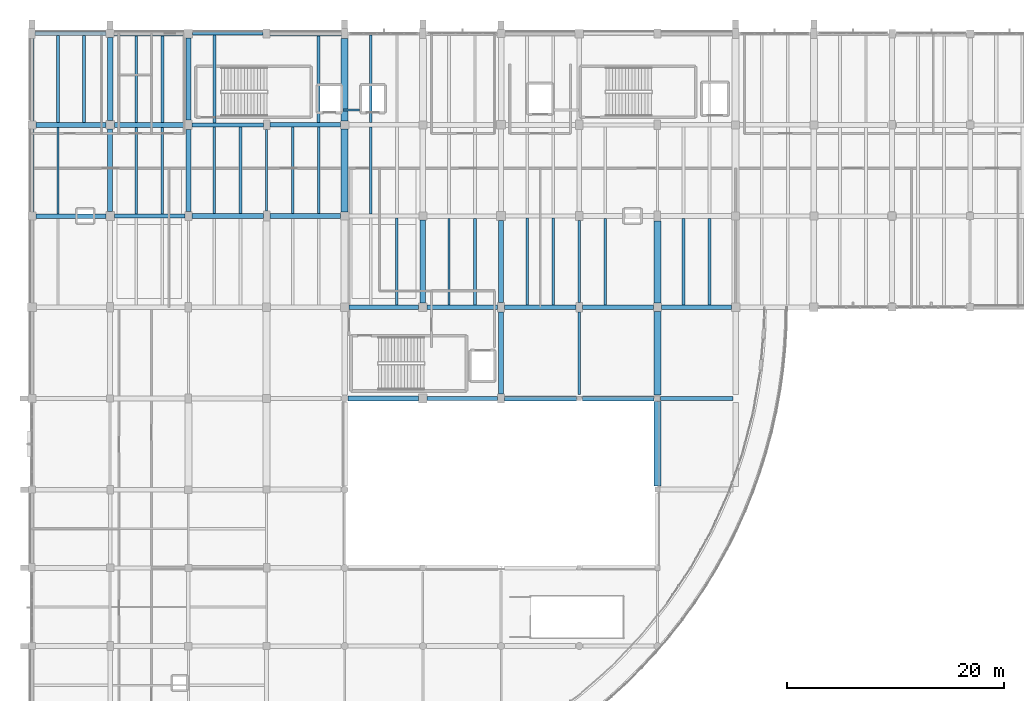
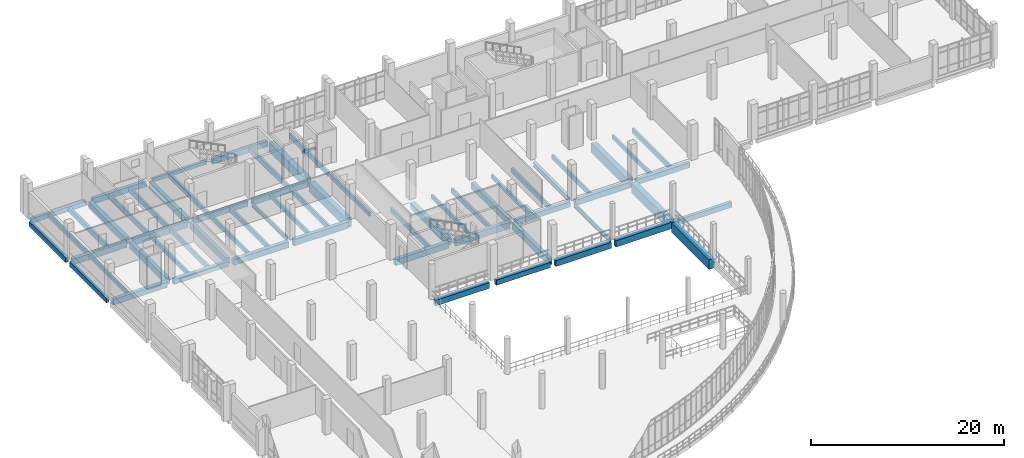
# One storey, part 61 of 116: 63 beams.
"""IFC4 building model written with IfcOpenShell, lengths in metres."""

from ifc_helpers import new_model, si_unit, direction, frame, origin, origin_2d, place, context, subcontext, project, spatial, rectangle, i_section, extrude, material, material_profile, profile_set, type_object, element, save


model = new_model("IFC4")

# Units and contexts
model_context = context("Model", 3, precision=1e-05, world=origin(), true_north=direction((0.0, 1.0)))
body_context = subcontext(model_context, "Body", "Model", "MODEL_VIEW")
ifc_project = project(units=[si_unit("LENGTHUNIT", "METRE"), si_unit("AREAUNIT", "SQUARE_METRE"), si_unit("VOLUMEUNIT", "CUBIC_METRE"), si_unit("PLANEANGLEUNIT", "RADIAN"), si_unit("MASSUNIT", "GRAM", prefix="KILO")], contexts=[model_context])

# Site, building, storey
site_placement = place(None, origin())
site = spatial("IfcSite", under=ifc_project, at=site_placement, CompositionType="ELEMENT")
building_placement = place(site_placement, origin())
building = spatial("IfcBuilding", under=site, at=building_placement, Name="Kalluvel Institute of Natural Sciences", CompositionType="ELEMENT")
storey_placement = place(building_placement, frame((0.0, 0.0, 14.39990234375)))
storey = spatial("IfcBuildingStorey", under=building, at=storey_placement, Name="L03", CompositionType="ELEMENT", Elevation=14.39990234375)

# Beams
ifc_material_1 = material(Name="Steel E350 Grade 350", Category="steel")
ifc_material_profile_1 = material_profile(ifc_material_1, i_section(OverallWidth=0.18994140625, OverallDepth=0.550048828125, WebThickness=0.01123046875, FlangeThickness=0.019287109375, FilletRadius=0.01806640625, at=origin_2d()), Name="ISMB 550")
ifc_profile_set_1 = profile_set([ifc_material_profile_1], Name="Steel E350 Grade 350")
beam_type_1 = type_object("IfcBeamType", Name="BM-ISMB550", PredefinedType="BEAM", material=ifc_profile_set_1)
beam_1_placement = place(storey_placement, frame((35.60009765625, 111.64990234375, -0.594970703125), z_axis=(0.0, 1.0, 0.0), x_axis=(-1.0, 0.0, 0.0)))
element("IfcBeam", 1, at=beam_1_placement, inside=storey, type_object=beam_type_1, Name="L03 girder GIR-L03-NS-X356-Y1112", PredefinedType="BEAM", context=body_context, shape_type="SweptSolid", body=[
    extrude(i_section(OverallWidth=0.18994140625, OverallDepth=0.550048828125, WebThickness=0.01123046875, FlangeThickness=0.019287109375, FilletRadius=0.01806640625, at=origin_2d()), origin(), (0.0, 0.0, 1.0), 7.5),
])
beam_2_placement = place(storey_placement, frame((64.39990234375, 94.77490234375, -0.594970703125), z_axis=(0.0, 1.0, 0.0), x_axis=(-1.0, 0.0, 0.0)))
element("IfcBeam", 2, at=beam_2_placement, inside=storey, type_object=beam_type_1, Name="L03 girder GIR-L03-NS-X644-Y944", PredefinedType="BEAM", context=body_context, shape_type="SweptSolid", body=[
    extrude(i_section(OverallWidth=0.18994140625, OverallDepth=0.550048828125, WebThickness=0.01123046875, FlangeThickness=0.019287109375, FilletRadius=0.01806640625, at=origin_2d()), origin(), (0.0, 0.0, 1.0), 7.5751953125),
])
beam_3_placement = place(storey_placement, frame((64.39990234375, 103.25, -0.594970703125), z_axis=(0.0, 1.0, 0.0), x_axis=(-1.0, 0.0, 0.0)))
element("IfcBeam", 3, at=beam_3_placement, inside=storey, type_object=beam_type_1, Name="L03 girder GIR-L03-NS-X644-Y1028", PredefinedType="BEAM", context=body_context, shape_type="SweptSolid", body=[
    extrude(i_section(OverallWidth=0.18994140625, OverallDepth=0.550048828125, WebThickness=0.01123046875, FlangeThickness=0.019287109375, FilletRadius=0.01806640625, at=origin_2d()), origin(), (0.0, 0.0, 1.0), 7.52490234375),
])
ifc_material_2 = material(Name="Concrete M40", Category="concrete")
ifc_material_profile_2 = material_profile(ifc_material_2, rectangle(XDim=0.3798828125, YDim=0.639892578125, at=origin_2d()), Name="RCB 380x640")
ifc_profile_set_2 = profile_set([ifc_material_profile_2], Name="Concrete M40")
beam_type_2 = type_object("IfcBeamType", Name="BM-RC380x640", PredefinedType="BEAM", material=ifc_profile_set_2)
beam_4_placement = place(storey_placement, frame((71.89990234375, 94.39990234375, -0.639892578125), z_axis=(1.0, 0.0, 0.0), x_axis=(0.0, 1.0, 0.0)))
element("IfcBeam", 4, at=beam_4_placement, inside=storey, type_object=beam_type_2, Name="L03 girder GIR-L03-EW-X716-Y944", PredefinedType="BEAM", context=body_context, shape_type="SweptSolid", body=[
    extrude(rectangle(XDim=0.3798828125, YDim=0.639892578125, at=origin_2d()), origin(), (0.0, 0.0, 1.0), 6.650146484375),
])
beam_5_placement = place(storey_placement, frame((57.52490234375, 102.800048828125, -0.639892578125), z_axis=(1.0, 0.0, 0.0), x_axis=(0.0, 1.0, 0.0)))
element("IfcBeam", 5, at=beam_5_placement, inside=storey, type_object=beam_type_2, Name="L03 girder GIR-L03-EW-X572-Y1028", PredefinedType="BEAM", context=body_context, shape_type="SweptSolid", body=[
    extrude(rectangle(XDim=0.3798828125, YDim=0.639892578125, at=origin_2d()), origin(), (0.0, 0.0, 1.0), 6.5751953125),
])
beam_6_placement = place(storey_placement, frame((28.72509765625, 119.60009765625, -0.639892578125), z_axis=(1.0, 0.0, 0.0), x_axis=(0.0, 1.0, 0.0)))
element("IfcBeam", 6, at=beam_6_placement, inside=storey, type_object=beam_type_2, Name="L03 girder GIR-L03-EW-X284-Y1196", PredefinedType="BEAM", context=body_context, shape_type="SweptSolid", body=[
    extrude(rectangle(XDim=0.3798828125, YDim=0.639892578125, at=origin_2d()), origin(), (0.0, 0.0, 1.0), 6.574951171875),
])
ifc_material_profile_3 = material_profile(ifc_material_2, rectangle(XDim=0.39990234375, YDim=0.64990234375, at=origin_2d()), Name="RCB 400x650")
ifc_profile_set_3 = profile_set([ifc_material_profile_3], Name="Concrete M40")
beam_type_3 = type_object("IfcBeamType", Name="BM-RC400x650", PredefinedType="BEAM", material=ifc_profile_set_3)
beam_7_placement = place(storey_placement, frame((50.39990234375, 94.39990234375, -0.64501953125), z_axis=(1.0, 0.0, 0.0), x_axis=(0.0, 1.0, 0.0)))
element("IfcBeam", 7, at=beam_7_placement, inside=storey, type_object=beam_type_3, Name="L03 girder GIR-L03-EW-X500-Y944", PredefinedType="BEAM", context=body_context, shape_type="SweptSolid", body=[
    extrude(rectangle(XDim=0.39990234375, YDim=0.64990234375, at=origin_2d()), origin(), (0.0, 0.0, 1.0), 6.47509765625),
])
beam_8_placement = place(storey_placement, frame((71.97509765625, 102.800048828125, -0.64501953125), z_axis=(1.0, 0.0, 0.0), x_axis=(0.0, 1.0, 0.0)))
element("IfcBeam", 8, at=beam_8_placement, inside=storey, type_object=beam_type_3, Name="L03 girder GIR-L03-EW-X716-Y1028", PredefinedType="BEAM", context=body_context, shape_type="SweptSolid", body=[
    extrude(rectangle(XDim=0.39990234375, YDim=0.64990234375, at=origin_2d()), origin(), (0.0, 0.0, 1.0), 6.4248046875),
])
beam_9_placement = place(storey_placement, frame((21.60009765625, 111.199951171875, -0.64501953125), z_axis=(1.0, 0.0, 0.0), x_axis=(0.0, 1.0, 0.0)))
element("IfcBeam", 9, at=beam_9_placement, inside=storey, type_object=beam_type_3, Name="L03 girder GIR-L03-EW-X212-Y1112", PredefinedType="BEAM", context=body_context, shape_type="SweptSolid", body=[
    extrude(rectangle(XDim=0.39990234375, YDim=0.64990234375, at=origin_2d()), origin(), (0.0, 0.0, 1.0), 6.474853515625),
])
ifc_material_profile_4 = material_profile(ifc_material_2, rectangle(XDim=0.419921875, YDim=0.719970703125, at=origin_2d()), Name="RCB 420x720")
ifc_profile_set_4 = profile_set([ifc_material_profile_4], Name="Concrete M40")
beam_type_4 = type_object("IfcBeamType", Name="BM-RC420x720", PredefinedType="BEAM", material=ifc_profile_set_4)
beam_10_placement = place(storey_placement, frame((43.125, 94.39990234375, -0.679931640625), z_axis=(1.0, 0.0, 0.0), x_axis=(0.0, 1.0, 0.0)))
element("IfcBeam", 10, at=beam_10_placement, inside=storey, type_object=beam_type_4, Name="L03 girder GIR-L03-EW-X428-Y944", PredefinedType="BEAM", context=body_context, shape_type="SweptSolid", body=[
    extrude(rectangle(XDim=0.419921875, YDim=0.719970703125, at=origin_2d()), origin(), (0.0, 0.0, 1.0), 6.47509765625),
])
beam_11_placement = place(storey_placement, frame((64.699951171875, 102.800048828125, -0.679931640625), z_axis=(1.0, 0.0, 0.0), x_axis=(0.0, 1.0, 0.0)))
element("IfcBeam", 11, at=beam_11_placement, inside=storey, type_object=beam_type_4, Name="L03 girder GIR-L03-EW-X644-Y1028", PredefinedType="BEAM", context=body_context, shape_type="SweptSolid", body=[
    extrude(rectangle(XDim=0.419921875, YDim=0.719970703125, at=origin_2d()), origin(), (0.0, 0.0, 1.0), 6.525146484375),
])
beam_12_placement = place(storey_placement, frame((14.375, 111.199951171875, -0.679931640625), z_axis=(1.0, 0.0, 0.0), x_axis=(0.0, 1.0, 0.0)))
element("IfcBeam", 12, at=beam_12_placement, inside=storey, type_object=beam_type_4, Name="L03 girder GIR-L03-EW-X140-Y1112", PredefinedType="BEAM", context=body_context, shape_type="SweptSolid", body=[
    extrude(rectangle(XDim=0.419921875, YDim=0.719970703125, at=origin_2d()), origin(), (0.0, 0.0, 1.0), 6.425048828125),
])
beam_13_placement = place(storey_placement, frame((35.89990234375, 119.60009765625, -0.679931640625), z_axis=(1.0, 0.0, 0.0), x_axis=(0.0, 1.0, 0.0)))
element("IfcBeam", 13, at=beam_13_placement, inside=storey, type_object=beam_type_4, Name="L03 girder GIR-L03-EW-X356-Y1196", PredefinedType="BEAM", context=body_context, shape_type="SweptSolid", body=[
    extrude(rectangle(XDim=0.419921875, YDim=0.719970703125, at=origin_2d()), origin(), (0.0, 0.0, 1.0), 6.525146484375),
])
ifc_material_profile_5 = material_profile(ifc_material_2, rectangle(XDim=0.449951171875, YDim=0.75, at=origin_2d()), Name="RCB 450x750")
ifc_profile_set_5 = profile_set([ifc_material_profile_5], Name="Concrete M40")
beam_type_5 = type_object("IfcBeamType", Name="BM-RC450x750", PredefinedType="BEAM", material=ifc_profile_set_5)
beam_14_placement = place(storey_placement, frame((57.52490234375, 94.39990234375, -0.69482421875), z_axis=(1.0, 0.0, 0.0), x_axis=(0.0, 1.0, 0.0)))
element("IfcBeam", 14, at=beam_14_placement, inside=storey, type_object=beam_type_5, Name="L03 girder GIR-L03-EW-X572-Y944", PredefinedType="BEAM", context=body_context, shape_type="SweptSolid", body=[
    extrude(rectangle(XDim=0.449951171875, YDim=0.75, at=origin_2d()), origin(), (0.0, 0.0, 1.0), 6.60009765625),
])
beam_15_placement = place(storey_placement, frame((43.199951171875, 102.800048828125, -0.69482421875), z_axis=(1.0, 0.0, 0.0), x_axis=(0.0, 1.0, 0.0)))
element("IfcBeam", 15, at=beam_15_placement, inside=storey, type_object=beam_type_5, Name="L03 girder GIR-L03-EW-X428-Y1028", PredefinedType="BEAM", context=body_context, shape_type="SweptSolid", body=[
    extrude(rectangle(XDim=0.449951171875, YDim=0.75, at=origin_2d()), origin(), (0.0, 0.0, 1.0), 6.400146484375),
])
beam_16_placement = place(storey_placement, frame((28.72509765625, 111.199951171875, -0.69482421875), z_axis=(1.0, 0.0, 0.0), x_axis=(0.0, 1.0, 0.0)))
element("IfcBeam", 16, at=beam_16_placement, inside=storey, type_object=beam_type_5, Name="L03 girder GIR-L03-EW-X284-Y1112", PredefinedType="BEAM", context=body_context, shape_type="SweptSolid", body=[
    extrude(rectangle(XDim=0.449951171875, YDim=0.75, at=origin_2d()), origin(), (0.0, 0.0, 1.0), 6.574951171875),
])
beam_17_placement = place(storey_placement, frame((14.375, 119.60009765625, -0.69482421875), z_axis=(1.0, 0.0, 0.0), x_axis=(0.0, 1.0, 0.0)))
element("IfcBeam", 17, at=beam_17_placement, inside=storey, type_object=beam_type_5, Name="L03 girder GIR-L03-EW-X140-Y1196", PredefinedType="BEAM", context=body_context, shape_type="SweptSolid", body=[
    extrude(rectangle(XDim=0.449951171875, YDim=0.75, at=origin_2d()), origin(), (0.0, 0.0, 1.0), 6.425048828125),
])
ifc_material_profile_6 = material_profile(ifc_material_2, rectangle(XDim=0.449951171875, YDim=0.800048828125, at=origin_2d()), Name="RCB 450x800")
ifc_profile_set_6 = profile_set([ifc_material_profile_6], Name="Concrete M40")
beam_type_6 = type_object("IfcBeamType", Name="BM-RC450x800", PredefinedType="BEAM", material=ifc_profile_set_6)
beam_18_placement = place(storey_placement, frame((64.675048828125, 94.39990234375, -0.719970703125), z_axis=(1.0, 0.0, 0.0), x_axis=(0.0, 1.0, 0.0)))
element("IfcBeam", 18, at=beam_18_placement, inside=storey, type_object=beam_type_6, Name="L03 girder GIR-L03-EW-X644-Y944", PredefinedType="BEAM", context=body_context, shape_type="SweptSolid", body=[
    extrude(rectangle(XDim=0.449951171875, YDim=0.800048828125, at=origin_2d()), origin(), (0.0, 0.0, 1.0), 6.625),
])
beam_19_placement = place(storey_placement, frame((50.39990234375, 102.800048828125, -0.719970703125), z_axis=(1.0, 0.0, 0.0), x_axis=(0.0, 1.0, 0.0)))
element("IfcBeam", 19, at=beam_19_placement, inside=storey, type_object=beam_type_6, Name="L03 girder GIR-L03-EW-X500-Y1028", PredefinedType="BEAM", context=body_context, shape_type="SweptSolid", body=[
    extrude(rectangle(XDim=0.449951171875, YDim=0.800048828125, at=origin_2d()), origin(), (0.0, 0.0, 1.0), 6.47509765625),
])
beam_20_placement = place(storey_placement, frame((35.89990234375, 111.199951171875, -0.719970703125), z_axis=(1.0, 0.0, 0.0), x_axis=(0.0, 1.0, 0.0)))
element("IfcBeam", 20, at=beam_20_placement, inside=storey, type_object=beam_type_6, Name="L03 girder GIR-L03-EW-X356-Y1112", PredefinedType="BEAM", context=body_context, shape_type="SweptSolid", body=[
    extrude(rectangle(XDim=0.449951171875, YDim=0.800048828125, at=origin_2d()), origin(), (0.0, 0.0, 1.0), 6.525146484375),
])
beam_21_placement = place(storey_placement, frame((21.60009765625, 119.60009765625, -0.719970703125), z_axis=(1.0, 0.0, 0.0), x_axis=(0.0, 1.0, 0.0)))
element("IfcBeam", 21, at=beam_21_placement, inside=storey, type_object=beam_type_6, Name="L03 girder GIR-L03-EW-X212-Y1196", PredefinedType="BEAM", context=body_context, shape_type="SweptSolid", body=[
    extrude(rectangle(XDim=0.449951171875, YDim=0.800048828125, at=origin_2d()), origin(), (0.0, 0.0, 1.0), 6.474853515625),
])
beam_22_placement = place(storey_placement, frame((21.199951171875, 111.60009765625, -0.719970703125), z_axis=(0.0, 1.0, 0.0), x_axis=(-1.0, 0.0, 0.0)))
element("IfcBeam", 22, at=beam_22_placement, inside=storey, type_object=beam_type_6, Name="L03 girder GIR-L03-NS-X212-Y1112", PredefinedType="BEAM", context=body_context, shape_type="SweptSolid", body=[
    extrude(rectangle(XDim=0.449951171875, YDim=0.800048828125, at=origin_2d()), origin(), (0.0, 0.0, 1.0), 7.599853515625),
])
beam_23_placement = place(storey_placement, frame((28.39990234375, 111.625, -0.719970703125), z_axis=(0.0, 1.0, 0.0), x_axis=(-1.0, 0.0, 0.0)))
element("IfcBeam", 23, at=beam_23_placement, inside=storey, type_object=beam_type_6, Name="L03 girder GIR-L03-NS-X284-Y1112", PredefinedType="BEAM", context=body_context, shape_type="SweptSolid", body=[
    extrude(rectangle(XDim=0.449951171875, YDim=0.800048828125, at=origin_2d()), origin(), (0.0, 0.0, 1.0), 7.550048828125),
])
beam_24_placement = place(storey_placement, frame((28.39990234375, 120.02490234375, -0.719970703125), z_axis=(0.0, 1.0, 0.0), x_axis=(-1.0, 0.0, 0.0)))
element("IfcBeam", 24, at=beam_24_placement, inside=storey, type_object=beam_type_6, Name="L03 girder GIR-L03-NS-X284-Y1196", PredefinedType="BEAM", context=body_context, shape_type="SweptSolid", body=[
    extrude(rectangle(XDim=0.449951171875, YDim=0.800048828125, at=origin_2d()), origin(), (0.0, 0.0, 1.0), 7.5751953125),
])
beam_25_placement = place(storey_placement, frame((57.199951171875, 94.824951171875, -0.719970703125), z_axis=(0.0, 1.0, 0.0), x_axis=(-1.0, 0.0, 0.0)))
element("IfcBeam", 25, at=beam_25_placement, inside=storey, type_object=beam_type_6, Name="L03 girder GIR-L03-NS-X572-Y944", PredefinedType="BEAM", context=body_context, shape_type="SweptSolid", body=[
    extrude(rectangle(XDim=0.449951171875, YDim=0.800048828125, at=origin_2d()), origin(), (0.0, 0.0, 1.0), 7.550048828125),
])
beam_26_placement = place(storey_placement, frame((57.199951171875, 103.22509765625, -0.719970703125), z_axis=(0.0, 1.0, 0.0), x_axis=(-1.0, 0.0, 0.0)))
element("IfcBeam", 26, at=beam_26_placement, inside=storey, type_object=beam_type_6, Name="L03 girder GIR-L03-NS-X572-Y1028", PredefinedType="BEAM", context=body_context, shape_type="SweptSolid", body=[
    extrude(rectangle(XDim=0.449951171875, YDim=0.800048828125, at=origin_2d()), origin(), (0.0, 0.0, 1.0), 7.574951171875),
])
ifc_material_3 = material(Name="Concrete M50", Category="concrete")
ifc_material_profile_7 = material_profile(ifc_material_3, rectangle(XDim=0.5, YDim=0.85009765625, at=origin_2d()), Name="RCB 500x850")
ifc_profile_set_7 = profile_set([ifc_material_profile_7], Name="Concrete M50")
beam_type_7 = type_object("IfcBeamType", Name="BM-RC500x850", PredefinedType="BEAM", material=ifc_profile_set_7)
for number, where, z_axis, x_axis, name in (
    (27, (21.199951171875, 120.0, -0.744873046875), (0.0, 1.0, 0.0), (-1.0, 0.0, 0.0), "L03 girder GIR-L03-NS-X212-Y1196"),
    (28, (50.0, 103.199951171875, -0.744873046875), (0.0, 1.0, 0.0), (-1.0, 0.0, 0.0), "L03 girder GIR-L03-NS-X500-Y1028"),
):
    element("IfcBeam", number, at=place(storey_placement, frame(where, z_axis=z_axis, x_axis=x_axis)), inside=storey, type_object=beam_type_7, Name=name, PredefinedType="BEAM", context=body_context, shape_type="SweptSolid", body=[
        extrude(rectangle(XDim=0.5, YDim=0.85009765625, at=origin_2d()), origin(), (0.0, 0.0, 1.0), 7.625),
    ])
ifc_material_profile_8 = material_profile(ifc_material_3, rectangle(XDim=0.64990234375, YDim=1.199951171875, at=origin_2d()), Name="RCB 650x1200")
ifc_profile_set_8 = profile_set([ifc_material_profile_8], Name="Concrete M50")
beam_type_8 = type_object("IfcBeamType", Name="BM-RC650x1200", PredefinedType="BEAM", material=ifc_profile_set_8)
beam_27_placement = place(storey_placement, frame((42.800048828125, 111.574951171875, -0.919921875), z_axis=(0.0, 1.0, 0.0), x_axis=(-1.0, 0.0, 0.0)))
element("IfcBeam", 29, at=beam_27_placement, inside=storey, type_object=beam_type_8, Name="L03 girder GIR-L03-NS-X428-Y1112", PredefinedType="BEAM", context=body_context, shape_type="SweptSolid", body=[
    extrude(rectangle(XDim=0.64990234375, YDim=1.199951171875, at=origin_2d()), origin(), (0.0, 0.0, 1.0), 7.650146484375),
])
beam_28_placement = place(storey_placement, frame((42.800048828125, 119.97509765625, -0.919921875), z_axis=(0.0, 1.0, 0.0), x_axis=(-1.0, 0.0, 0.0)))
element("IfcBeam", 30, at=beam_28_placement, inside=storey, type_object=beam_type_8, Name="L03 girder GIR-L03-NS-X428-Y1196", PredefinedType="BEAM", context=body_context, shape_type="SweptSolid", body=[
    extrude(rectangle(XDim=0.64990234375, YDim=1.199951171875, at=origin_2d()), origin(), (0.0, 0.0, 1.0), 7.574951171875),
])
beam_29_placement = place(storey_placement, frame((71.60009765625, 86.35009765625, -0.919921875), z_axis=(0.0, 1.0, 0.0), x_axis=(-1.0, 0.0, 0.0)))
element("IfcBeam", 31, at=beam_29_placement, inside=storey, type_object=beam_type_8, Name="L03 girder GIR-L03-NS-X716-Y860", PredefinedType="BEAM", context=body_context, shape_type="SweptSolid", body=[
    extrude(rectangle(XDim=0.64990234375, YDim=1.199951171875, at=origin_2d()), origin(), (0.0, 0.0, 1.0), 7.75),
])
beam_30_placement = place(storey_placement, frame((71.60009765625, 94.699951171875, -0.919921875), z_axis=(0.0, 1.0, 0.0), x_axis=(-1.0, 0.0, 0.0)))
element("IfcBeam", 32, at=beam_30_placement, inside=storey, type_object=beam_type_8, Name="L03 girder GIR-L03-NS-X716-Y944", PredefinedType="BEAM", context=body_context, shape_type="SweptSolid", body=[
    extrude(rectangle(XDim=0.64990234375, YDim=1.199951171875, at=origin_2d()), origin(), (0.0, 0.0, 1.0), 7.72509765625),
])
beam_31_placement = place(storey_placement, frame((71.60009765625, 103.175048828125, -0.919921875), z_axis=(0.0, 1.0, 0.0), x_axis=(-1.0, 0.0, 0.0)))
element("IfcBeam", 33, at=beam_31_placement, inside=storey, type_object=beam_type_8, Name="L03 girder GIR-L03-NS-X716-Y1028", PredefinedType="BEAM", context=body_context, shape_type="SweptSolid", body=[
    extrude(rectangle(XDim=0.64990234375, YDim=1.199951171875, at=origin_2d()), origin(), (0.0, 0.0, 1.0), 7.574951171875),
])
ifc_material_4 = material(Name="Sadarahalli Granite Precast Concrete M45", Category="masonry")
ifc_material_profile_9 = material_profile(ifc_material_4, rectangle(XDim=0.199951171875, YDim=0.300048828125, at=origin_2d()), Name="LIN 200x300")
ifc_profile_set_9 = profile_set([ifc_material_profile_9], Name="Sadarahalli Granite Precast Concrete M45")
beam_type_9 = type_object("IfcBeamType", Name="LN-200x300-INT", PredefinedType="LINTEL", material=ifc_profile_set_9)
beam_32_placement = place(storey_placement, frame((42.639892578125, 120.949951171875, 2.35009765625), z_axis=(1.0, 0.0, 0.0), x_axis=(0.0, 1.0, 0.0)))
element("IfcBeam", 34, at=beam_32_placement, inside=storey, type_object=beam_type_9, Name="L03 lift-core coupling lintel A", PredefinedType="LINTEL", context=body_context, shape_type="SweptSolid", body=[
    extrude(rectangle(XDim=0.199951171875, YDim=0.300048828125, at=origin_2d()), origin(), (0.0, 0.0, 1.0), 1.52001953125),
])
ifc_material_profile_10 = material_profile(ifc_material_2, rectangle(XDim=0.300048828125, YDim=0.449951171875, at=origin_2d()), Name="RCB 300x450")
ifc_profile_set_10 = profile_set([ifc_material_profile_10], Name="Concrete M40")
beam_type_10 = type_object("IfcBeamType", Name="SP-RC300x450", PredefinedType="SPANDREL", material=ifc_profile_set_10)
beam_33_placement = place(storey_placement, frame((28.800048828125, 128.0, -0.544921875), z_axis=(1.0, 0.0, 0.0), x_axis=(0.0, 1.0, 0.0)))
element("IfcBeam", 35, at=beam_33_placement, inside=storey, type_object=beam_type_10, Name="L03 girder GIR-L03-EW-X284-Y1280", PredefinedType="SPANDREL", context=body_context, shape_type="SweptSolid", body=[
    extrude(rectangle(XDim=0.300048828125, YDim=0.449951171875, at=origin_2d()), origin(), (0.0, 0.0, 1.0), 6.474853515625),
])
ifc_material_profile_11 = material_profile(ifc_material_2, rectangle(XDim=0.35009765625, YDim=0.60009765625, at=origin_2d()), Name="RCB 350x600")
ifc_profile_set_11 = profile_set([ifc_material_profile_11], Name="Concrete M40")
beam_type_11 = type_object("IfcBeamType", Name="SP-RC350x600", PredefinedType="SPANDREL", material=ifc_profile_set_11)
beam_34_placement = place(storey_placement, frame((14.300048828125, 128.0, -0.619873046875), z_axis=(1.0, 0.0, 0.0), x_axis=(0.0, 1.0, 0.0)))
element("IfcBeam", 36, at=beam_34_placement, inside=storey, type_object=beam_type_11, Name="L03 girder GIR-L03-EW-X140-Y1280", PredefinedType="SPANDREL", context=body_context, shape_type="SweptSolid", body=[
    extrude(rectangle(XDim=0.35009765625, YDim=0.60009765625, at=origin_2d()), origin(), (0.0, 0.0, 1.0), 6.52490234375),
])
beam_35_placement = place(storey_placement, frame((14.0, 111.574951171875, -0.619873046875), z_axis=(0.0, 1.0, 0.0), x_axis=(-1.0, 0.0, 0.0)))
element("IfcBeam", 37, at=beam_35_placement, inside=storey, type_object=beam_type_11, Name="L03 girder GIR-L03-NS-X140-Y1112", PredefinedType="SPANDREL", context=body_context, shape_type="SweptSolid", body=[
    extrude(rectangle(XDim=0.35009765625, YDim=0.60009765625, at=origin_2d()), origin(), (0.0, 0.0, 1.0), 7.650146484375),
])
beam_36_placement = place(storey_placement, frame((14.0, 119.97509765625, -0.619873046875), z_axis=(0.0, 1.0, 0.0), x_axis=(-1.0, 0.0, 0.0)))
element("IfcBeam", 38, at=beam_36_placement, inside=storey, type_object=beam_type_11, Name="L03 girder GIR-L03-NS-X140-Y1196", PredefinedType="SPANDREL", context=body_context, shape_type="SweptSolid", body=[
    extrude(rectangle(XDim=0.35009765625, YDim=0.60009765625, at=origin_2d()), origin(), (0.0, 0.0, 1.0), 7.574951171875),
])
ifc_material_profile_12 = material_profile(ifc_material_2, rectangle(XDim=0.39990234375, YDim=0.699951171875, at=origin_2d()), Name="RCB 400x700")
ifc_profile_set_12 = profile_set([ifc_material_profile_12], Name="Concrete M40")
beam_type_12 = type_object("IfcBeamType", Name="SP-RC400x700", PredefinedType="SPANDREL", material=ifc_profile_set_12)
beam_37_placement = place(storey_placement, frame((21.574951171875, 128.0, -0.669921875), z_axis=(1.0, 0.0, 0.0), x_axis=(0.0, 1.0, 0.0)))
element("IfcBeam", 39, at=beam_37_placement, inside=storey, type_object=beam_type_12, Name="L03 girder GIR-L03-EW-X212-Y1280", PredefinedType="SPANDREL", context=body_context, shape_type="SweptSolid", body=[
    extrude(rectangle(XDim=0.39990234375, YDim=0.699951171875, at=origin_2d()), origin(), (0.0, 0.0, 1.0), 6.425048828125),
])
beam_38_placement = place(storey_placement, frame((35.925048828125, 128.0, -0.669921875), z_axis=(1.0, 0.0, 0.0), x_axis=(0.0, 1.0, 0.0)))
element("IfcBeam", 40, at=beam_38_placement, inside=storey, type_object=beam_type_12, Name="L03 girder GIR-L03-EW-X356-Y1280", PredefinedType="SPANDREL", context=body_context, shape_type="SweptSolid", body=[
    extrude(rectangle(XDim=0.39990234375, YDim=0.699951171875, at=origin_2d()), origin(), (0.0, 0.0, 1.0), 6.574951171875),
])
ifc_material_profile_13 = material_profile(ifc_material_2, rectangle(XDim=0.219970703125, YDim=0.5, at=origin_2d()), Name="WAF 220x500")
ifc_profile_set_13 = profile_set([ifc_material_profile_13], Name="Concrete M40")
beam_type_13 = type_object("IfcBeamType", Name="WJ-220x500", PredefinedType="JOIST", material=ifc_profile_set_13)
for number, where, z_axis, x_axis, name in (
    (41, (16.39990234375, 111.409912109375, -0.56982421875), (0.0, 1.0, 0.0), (-1.0, 0.0, 0.0), "L03 waffle joist RIB-L03-0219"),
    (42, (52.39990234375, 103.02490234375, -0.56982421875), (0.0, 1.0, 0.0), (-1.0, 0.0, 0.0), "L03 waffle joist RIB-L03-0244"),
):
    element("IfcBeam", number, at=place(storey_placement, frame(where, z_axis=z_axis, x_axis=x_axis)), inside=storey, type_object=beam_type_13, Name=name, PredefinedType="JOIST", context=body_context, shape_type="SweptSolid", body=[
        extrude(rectangle(XDim=0.219970703125, YDim=0.5, at=origin_2d()), origin(), (0.0, 0.0, 1.0), 7.965087890625),
    ])
ifc_material_profile_14 = material_profile(ifc_material_2, rectangle(XDim=0.239990234375, YDim=0.52001953125, at=origin_2d()), Name="WAF 240x520")
ifc_profile_set_14 = profile_set([ifc_material_profile_14], Name="Concrete M40")
beam_type_14 = type_object("IfcBeamType", Name="WJ-240x520", PredefinedType="JOIST", material=ifc_profile_set_14)
beam_39_placement = place(storey_placement, frame((23.60009765625, 111.39990234375, -0.579833984375), z_axis=(0.0, 1.0, 0.0), x_axis=(-1.0, 0.0, 0.0)))
element("IfcBeam", 43, at=beam_39_placement, inside=storey, type_object=beam_type_14, Name="L03 waffle joist RIB-L03-0224", PredefinedType="JOIST", context=body_context, shape_type="SweptSolid", body=[
    extrude(rectangle(XDim=0.239990234375, YDim=0.52001953125, at=origin_2d()), origin(), (0.0, 0.0, 1.0), 7.97509765625),
])
beam_40_placement = place(storey_placement, frame((30.800048828125, 111.425048828125, -0.579833984375), z_axis=(0.0, 1.0, 0.0), x_axis=(-1.0, 0.0, 0.0)))
element("IfcBeam", 44, at=beam_40_placement, inside=storey, type_object=beam_type_14, Name="L03 waffle joist RIB-L03-0230", PredefinedType="JOIST", context=body_context, shape_type="SweptSolid", body=[
    extrude(rectangle(XDim=0.239990234375, YDim=0.52001953125, at=origin_2d()), origin(), (0.0, 0.0, 1.0), 7.98486328125),
])
beam_41_placement = place(storey_placement, frame((38.0, 111.425048828125, -0.579833984375), z_axis=(0.0, 1.0, 0.0), x_axis=(-1.0, 0.0, 0.0)))
element("IfcBeam", 45, at=beam_41_placement, inside=storey, type_object=beam_type_14, Name="L03 waffle joist RIB-L03-0235", PredefinedType="JOIST", context=body_context, shape_type="SweptSolid", body=[
    extrude(rectangle(XDim=0.239990234375, YDim=0.52001953125, at=origin_2d()), origin(), (0.0, 0.0, 1.0), 7.96484375),
])
for number, where, z_axis, x_axis, name in (
    (46, (45.199951171875, 111.389892578125, -0.579833984375), (0.0, 1.0, 0.0), (-1.0, 0.0, 0.0), "L03 waffle joist RIB-L03-0240"),
    (47, (59.60009765625, 102.989990234375, -0.579833984375), (0.0, 1.0, 0.0), (-1.0, 0.0, 0.0), "L03 waffle joist RIB-L03-0250"),
):
    element("IfcBeam", number, at=place(storey_placement, frame(where, z_axis=z_axis, x_axis=x_axis)), inside=storey, type_object=beam_type_14, Name=name, PredefinedType="JOIST", context=body_context, shape_type="SweptSolid", body=[
        extrude(rectangle(XDim=0.239990234375, YDim=0.52001953125, at=origin_2d()), origin(), (0.0, 0.0, 1.0), 8.010009765625),
    ])
beam_42_placement = place(storey_placement, frame((66.800048828125, 103.010009765625, -0.579833984375), z_axis=(0.0, 1.0, 0.0), x_axis=(-1.0, 0.0, 0.0)))
element("IfcBeam", 48, at=beam_42_placement, inside=storey, type_object=beam_type_14, Name="L03 waffle joist RIB-L03-0256", PredefinedType="JOIST", context=body_context, shape_type="SweptSolid", body=[
    extrude(rectangle(XDim=0.239990234375, YDim=0.52001953125, at=origin_2d()), origin(), (0.0, 0.0, 1.0), 7.965087890625),
])
beam_43_placement = place(storey_placement, frame((74.0, 103.0, -0.579833984375), z_axis=(0.0, 1.0, 0.0), x_axis=(-1.0, 0.0, 0.0)))
element("IfcBeam", 49, at=beam_43_placement, inside=storey, type_object=beam_type_14, Name="L03 waffle joist RIB-L03-0258", PredefinedType="JOIST", context=body_context, shape_type="SweptSolid", body=[
    extrude(rectangle(XDim=0.239990234375, YDim=0.52001953125, at=origin_2d()), origin(), (0.0, 0.0, 1.0), 7.97509765625),
])
ifc_material_profile_15 = material_profile(ifc_material_2, rectangle(XDim=0.25, YDim=0.550048828125, at=origin_2d()), Name="WAF 250x550")
ifc_profile_set_15 = profile_set([ifc_material_profile_15], Name="Concrete M40")
beam_type_15 = type_object("IfcBeamType", Name="WJ-250x550", PredefinedType="JOIST", material=ifc_profile_set_15)
beam_44_placement = place(storey_placement, frame((16.39990234375, 119.824951171875, -0.594970703125), z_axis=(0.0, 1.0, 0.0), x_axis=(-1.0, 0.0, 0.0)))
element("IfcBeam", 50, at=beam_44_placement, inside=storey, type_object=beam_type_15, Name="L03 waffle joist RIB-L03-0220", PredefinedType="JOIST", context=body_context, shape_type="SweptSolid", body=[
    extrude(rectangle(XDim=0.25, YDim=0.550048828125, at=origin_2d()), origin(), (0.0, 0.0, 1.0), 8.0),
])
ifc_material_profile_16 = material_profile(ifc_material_2, rectangle(XDim=0.25, YDim=0.60009765625, at=origin_2d()), Name="WAF 250x600")
ifc_profile_set_16 = profile_set([ifc_material_profile_16], Name="Concrete M40")
beam_type_16 = type_object("IfcBeamType", Name="WJ-250x600", PredefinedType="JOIST", material=ifc_profile_set_16)
for number, where, z_axis, x_axis, name in (
    (51, (26.0, 111.39990234375, -0.619873046875), (0.0, 1.0, 0.0), (-1.0, 0.0, 0.0), "L03 waffle joist RIB-L03-0225"),
    (52, (23.60009765625, 119.824951171875, -0.619873046875), (0.0, 1.0, 0.0), (-1.0, 0.0, 0.0), "L03 waffle joist RIB-L03-0226"),
):
    element("IfcBeam", number, at=place(storey_placement, frame(where, z_axis=z_axis, x_axis=x_axis)), inside=storey, type_object=beam_type_16, Name=name, PredefinedType="JOIST", context=body_context, shape_type="SweptSolid", body=[
        extrude(rectangle(XDim=0.25, YDim=0.60009765625, at=origin_2d()), origin(), (0.0, 0.0, 1.0), 7.97509765625),
    ])
beam_45_placement = place(storey_placement, frame((33.199951171875, 111.425048828125, -0.619873046875), z_axis=(0.0, 1.0, 0.0), x_axis=(-1.0, 0.0, 0.0)))
element("IfcBeam", 53, at=beam_45_placement, inside=storey, type_object=beam_type_16, Name="L03 waffle joist RIB-L03-0231", PredefinedType="JOIST", context=body_context, shape_type="SweptSolid", body=[
    extrude(rectangle(XDim=0.25, YDim=0.60009765625, at=origin_2d()), origin(), (0.0, 0.0, 1.0), 7.98486328125),
])
beam_46_placement = place(storey_placement, frame((30.800048828125, 119.7900390625, -0.619873046875), z_axis=(0.0, 1.0, 0.0), x_axis=(-1.0, 0.0, 0.0)))
element("IfcBeam", 54, at=beam_46_placement, inside=storey, type_object=beam_type_16, Name="L03 waffle joist RIB-L03-0232", PredefinedType="JOIST", context=body_context, shape_type="SweptSolid", body=[
    extrude(rectangle(XDim=0.25, YDim=0.60009765625, at=origin_2d()), origin(), (0.0, 0.0, 1.0), 8.06005859375),
])
beam_47_placement = place(storey_placement, frame((40.39990234375, 111.425048828125, -0.619873046875), z_axis=(0.0, 1.0, 0.0), x_axis=(-1.0, 0.0, 0.0)))
element("IfcBeam", 55, at=beam_47_placement, inside=storey, type_object=beam_type_16, Name="L03 waffle joist RIB-L03-0236", PredefinedType="JOIST", context=body_context, shape_type="SweptSolid", body=[
    extrude(rectangle(XDim=0.25, YDim=0.60009765625, at=origin_2d()), origin(), (0.0, 0.0, 1.0), 7.96484375),
])
beam_48_placement = place(storey_placement, frame((47.60009765625, 103.02490234375, -0.619873046875), z_axis=(0.0, 1.0, 0.0), x_axis=(-1.0, 0.0, 0.0)))
element("IfcBeam", 56, at=beam_48_placement, inside=storey, type_object=beam_type_16, Name="L03 waffle joist RIB-L03-0239", PredefinedType="JOIST", context=body_context, shape_type="SweptSolid", body=[
    extrude(rectangle(XDim=0.25, YDim=0.60009765625, at=origin_2d()), origin(), (0.0, 0.0, 1.0), 7.985107421875),
])
beam_49_placement = place(storey_placement, frame((45.199951171875, 119.800048828125, -0.619873046875), z_axis=(0.0, 1.0, 0.0), x_axis=(-1.0, 0.0, 0.0)))
element("IfcBeam", 57, at=beam_49_placement, inside=storey, type_object=beam_type_16, Name="L03 waffle joist RIB-L03-0242", PredefinedType="JOIST", context=body_context, shape_type="SweptSolid", body=[
    extrude(rectangle(XDim=0.25, YDim=0.60009765625, at=origin_2d()), origin(), (0.0, 0.0, 1.0), 8.050048828125),
])
beam_50_placement = place(storey_placement, frame((54.800048828125, 103.02490234375, -0.619873046875), z_axis=(0.0, 1.0, 0.0), x_axis=(-1.0, 0.0, 0.0)))
element("IfcBeam", 58, at=beam_50_placement, inside=storey, type_object=beam_type_16, Name="L03 waffle joist RIB-L03-0245", PredefinedType="JOIST", context=body_context, shape_type="SweptSolid", body=[
    extrude(rectangle(XDim=0.25, YDim=0.60009765625, at=origin_2d()), origin(), (0.0, 0.0, 1.0), 7.965087890625),
])
beam_51_placement = place(storey_placement, frame((62.0, 102.989990234375, -0.619873046875), z_axis=(0.0, 1.0, 0.0), x_axis=(-1.0, 0.0, 0.0)))
element("IfcBeam", 59, at=beam_51_placement, inside=storey, type_object=beam_type_16, Name="L03 waffle joist RIB-L03-0251", PredefinedType="JOIST", context=body_context, shape_type="SweptSolid", body=[
    extrude(rectangle(XDim=0.25, YDim=0.60009765625, at=origin_2d()), origin(), (0.0, 0.0, 1.0), 8.010009765625),
])
beam_52_placement = place(storey_placement, frame((76.39990234375, 103.0, -0.619873046875), z_axis=(0.0, 1.0, 0.0), x_axis=(-1.0, 0.0, 0.0)))
element("IfcBeam", 60, at=beam_52_placement, inside=storey, type_object=beam_type_16, Name="L03 waffle joist RIB-L03-0259", PredefinedType="JOIST", context=body_context, shape_type="SweptSolid", body=[
    extrude(rectangle(XDim=0.25, YDim=0.60009765625, at=origin_2d()), origin(), (0.0, 0.0, 1.0), 7.97509765625),
])
ifc_material_profile_17 = material_profile(ifc_material_3, rectangle(XDim=0.280029296875, YDim=0.64990234375, at=origin_2d()), Name="WAF 280x650")
ifc_profile_set_17 = profile_set([ifc_material_profile_17], Name="Concrete M50")
beam_type_17 = type_object("IfcBeamType", Name="WJ-280x650", PredefinedType="JOIST", material=ifc_profile_set_17)
beam_53_placement = place(storey_placement, frame((18.800048828125, 119.824951171875, -0.64501953125), z_axis=(0.0, 1.0, 0.0), x_axis=(-1.0, 0.0, 0.0)))
element("IfcBeam", 61, at=beam_53_placement, inside=storey, type_object=beam_type_17, Name="L03 waffle joist RIB-L03-0221", PredefinedType="JOIST", context=body_context, shape_type="SweptSolid", body=[
    extrude(rectangle(XDim=0.280029296875, YDim=0.64990234375, at=origin_2d()), origin(), (0.0, 0.0, 1.0), 8.0),
])
beam_54_placement = place(storey_placement, frame((26.0, 119.824951171875, -0.64501953125), z_axis=(0.0, 1.0, 0.0), x_axis=(-1.0, 0.0, 0.0)))
element("IfcBeam", 62, at=beam_54_placement, inside=storey, type_object=beam_type_17, Name="L03 waffle joist RIB-L03-0227", PredefinedType="JOIST", context=body_context, shape_type="SweptSolid", body=[
    extrude(rectangle(XDim=0.280029296875, YDim=0.64990234375, at=origin_2d()), origin(), (0.0, 0.0, 1.0), 7.97509765625),
])
beam_55_placement = place(storey_placement, frame((40.39990234375, 119.81005859375, -0.64501953125), z_axis=(0.0, 1.0, 0.0), x_axis=(-1.0, 0.0, 0.0)))
element("IfcBeam", 63, at=beam_55_placement, inside=storey, type_object=beam_type_17, Name="L03 waffle joist RIB-L03-0237", PredefinedType="JOIST", context=body_context, shape_type="SweptSolid", body=[
    extrude(rectangle(XDim=0.280029296875, YDim=0.64990234375, at=origin_2d()), origin(), (0.0, 0.0, 1.0), 7.989990234375),
])

save(model, "model.ifc")
